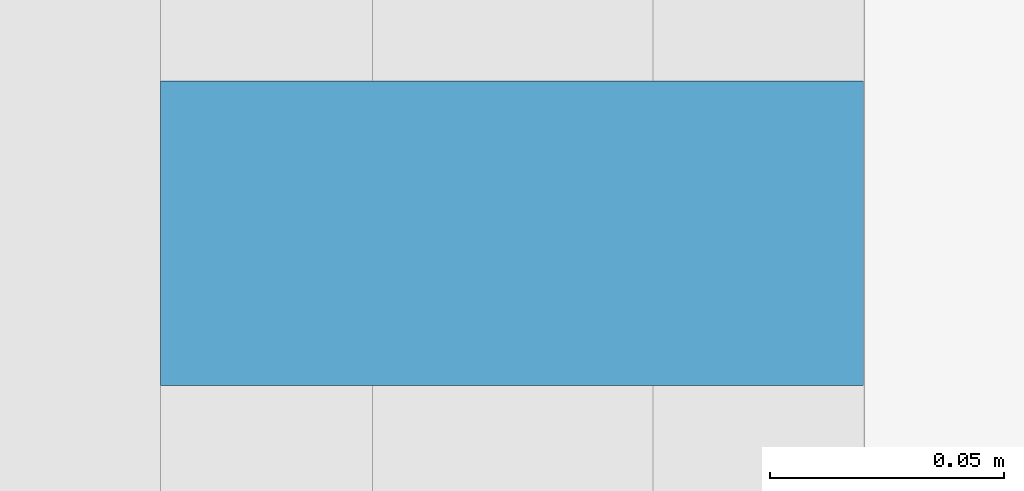
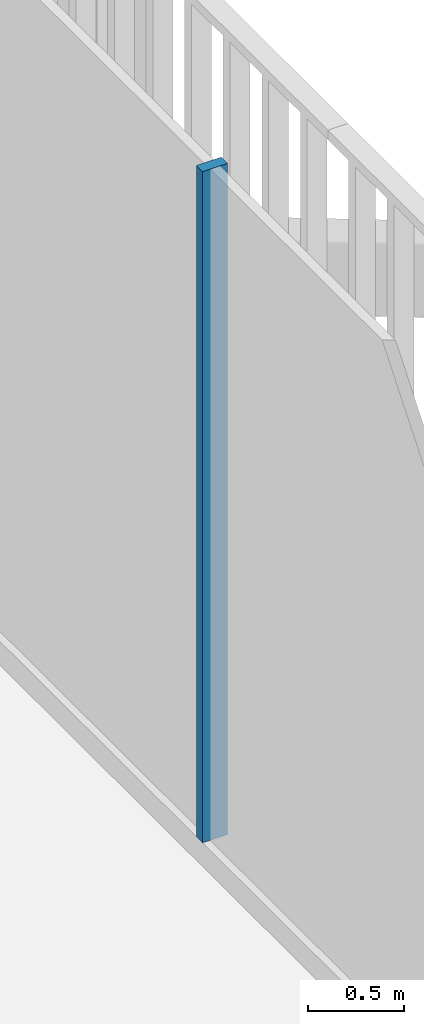
# One storey, part 10 of 21: 1 member, 1 element without a shape of its own.
"""IFC4 building model written with IfcOpenShell, lengths in metres."""

from ifc_helpers import new_model, si_unit, direction, frame, origin, origin_2d, place, context, subcontext, project, spatial, rectangle, extrude, material, layer, layer_set, material_profile, profile_set, type_object, element, aggregate, save


model = new_model("IFC4")

# Units and contexts
model_context = context("Model", 3, precision=1e-05, world=origin(), true_north=direction((0.0, 1.0)))
body_context = subcontext(model_context, "Body", "Model", "MODEL_VIEW")
ifc_project = project(units=[si_unit("LENGTHUNIT", "METRE"), si_unit("AREAUNIT", "SQUARE_METRE"), si_unit("VOLUMEUNIT", "CUBIC_METRE"), si_unit("PLANEANGLEUNIT", "RADIAN"), si_unit("MASSUNIT", "GRAM", prefix="KILO")], contexts=[model_context])

# Site, building, storey
site_placement = place(None, origin())
site = spatial("IfcSite", under=ifc_project, at=site_placement, CompositionType="ELEMENT")
building_placement = place(site_placement, origin())
building = spatial("IfcBuilding", under=site, at=building_placement, Name="Millrace Tower", CompositionType="ELEMENT")
storey_placement = place(building_placement, frame((0.0, 0.0, 104.0)))
storey = spatial("IfcBuildingStorey", under=building, at=storey_placement, Name="L23", CompositionType="ELEMENT", Elevation=104.0)

# Curtain wall, member
ifc_material_1 = material(Name="Aluminium and glass", Category="aluminium")
ifc_layer = layer(ifc_material_1, 0.14990234375)
ifc_layer_set = layer_set([ifc_layer], Name="Aluminium and glass")
curtain_wall_type = type_object("IfcCurtainWallType", Name="CW-3 telecom floor curtain wall", PredefinedType="NOTDEFINED", material=ifc_layer_set)
curtain_wall_placement = place(storey_placement, origin())
curtain_wall = element("IfcCurtainWall", 1, at=curtain_wall_placement, inside=storey, type_object=curtain_wall_type, Name="Curtain wall B-F04 L23", PredefinedType="NOTDEFINED")
ifc_material_2 = material(Name="Aluminium", Category="aluminium")
ifc_material_profile = material_profile(ifc_material_2, rectangle(XDim=0.06494140625, YDim=0.14990234375, at=origin_2d()))
ifc_profile_set = profile_set([ifc_material_profile], Name="Aluminium")
member_type = type_object("IfcMemberType", Name="CW-3 telecom floor curtain wall mullion", PredefinedType="MULLION", material=ifc_profile_set)
member_placement = place(storey_placement, frame((28.27490234375, -2.66748046875, 0.14990234375), z_axis=(0.0, 0.0, 1.0), x_axis=(0.0, 1.0, 0.0)))
member = element("IfcMember", 2, at=member_placement, type_object=member_type, Name="CW3 mullion B-F04.6", PredefinedType="MULLION", context=body_context, shape_type="SweptSolid", body=[
    extrude(rectangle(XDim=0.06494140625, YDim=0.14990234375, at=origin_2d()), origin(), (0.0, 0.0, 1.0), 4.25),
])
aggregate(curtain_wall, [member])

save(model, "model.ifc")
